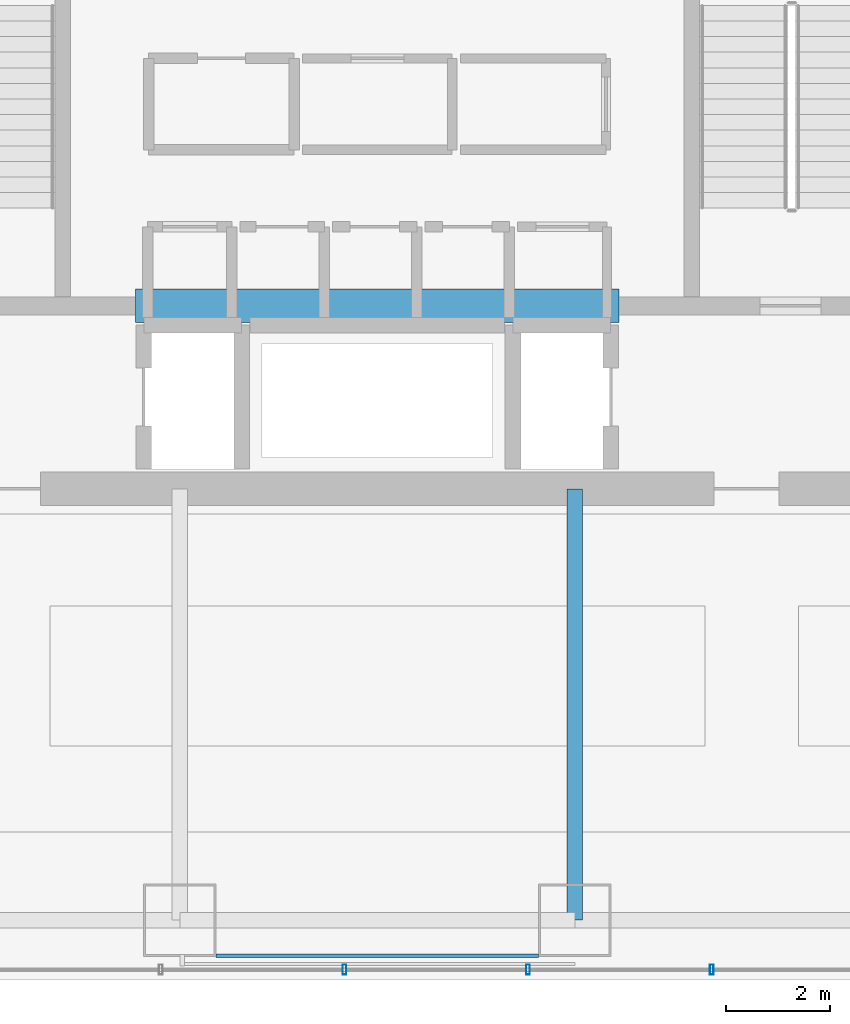
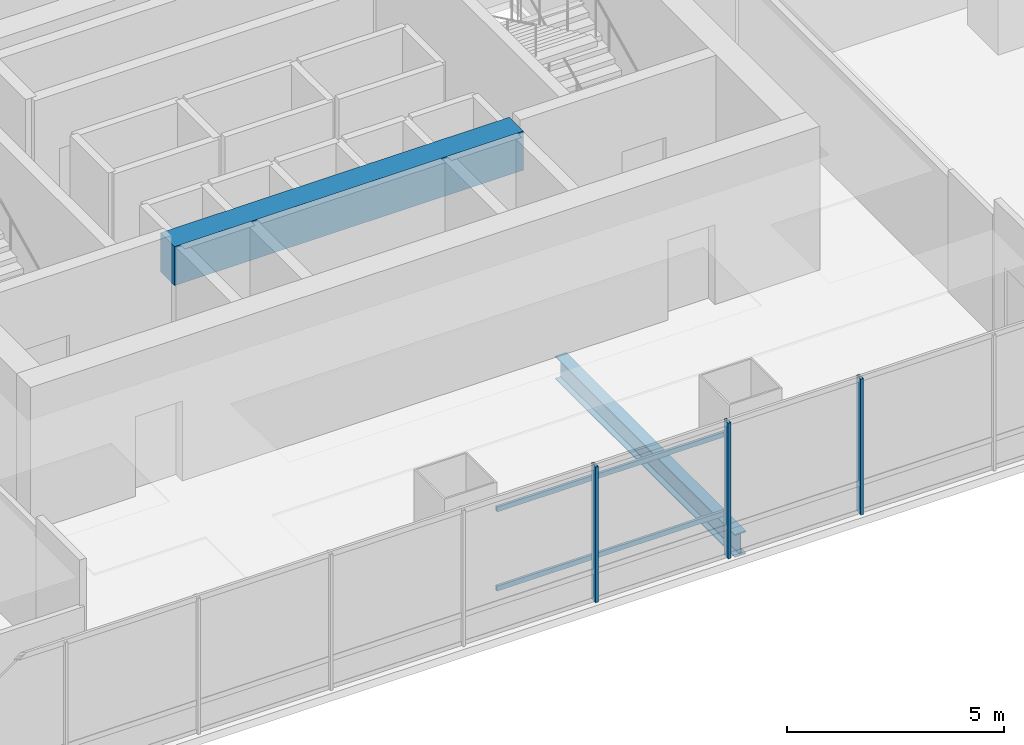
# One storey, part 9 of 38: 5 members, 2 beams, 1 element without a shape of its own.
"""IFC4 building model written with IfcOpenShell, lengths in metres."""

from ifc_helpers import new_model, si_unit, direction, frame, origin, origin_2d, place, context, subcontext, project, spatial, rectangle, hollow_rectangle, i_section, extrude, material, material_profile, profile_set, type_object, element, aggregate, save


model = new_model("IFC4")

# Units and contexts
model_context = context("Model", 3, precision=1e-05, world=origin(), true_north=direction((0.0, 1.0)))
body_context = subcontext(model_context, "Body", "Model", "MODEL_VIEW")
ifc_project = project(units=[si_unit("LENGTHUNIT", "METRE"), si_unit("AREAUNIT", "SQUARE_METRE"), si_unit("VOLUMEUNIT", "CUBIC_METRE"), si_unit("PLANEANGLEUNIT", "RADIAN"), si_unit("MASSUNIT", "GRAM", prefix="KILO")], contexts=[model_context])

# Site, building, storey
site_placement = place(None, origin())
site = spatial("IfcSite", under=ifc_project, at=site_placement, CompositionType="ELEMENT")
building_placement = place(site_placement, origin())
building = spatial("IfcBuilding", under=site, at=building_placement, Name="Punatoya Terracotta Tower", CompositionType="ELEMENT")
storey_placement = place(building_placement, frame((0.0, 0.0, 147.89990234375)))
storey = spatial("IfcBuildingStorey", under=building, at=storey_placement, Name="L34", CompositionType="ELEMENT", Elevation=147.89990234375)

# Beams
ifc_material_1 = material(Name="Steel S355", Category="steel")
ifc_material_profile_1 = material_profile(ifc_material_1, i_section(OverallWidth=0.300048828125, OverallDepth=0.64990234375, WebThickness=0.01611328125, FlangeThickness=0.031005859375, FilletRadius=0.01806640625, at=origin_2d()))
ifc_profile_set_1 = profile_set([ifc_material_profile_1], Name="Steel S355")
beam_type_1 = type_object("IfcBeamType", Name="BM-PRI-650", PredefinedType="BEAM", material=ifc_profile_set_1)
beam_1_placement = place(storey_placement, frame((3.800048828125, -17.5, -0.544921875), z_axis=(0.0, 1.0, 0.0), x_axis=(-1.0, 0.0, 0.0)))
element("IfcBeam", 1, at=beam_1_placement, inside=storey, type_object=beam_type_1, Name="BM-L34-PR-S3", PredefinedType="BEAM", context=body_context, shape_type="SweptSolid", body=[
    extrude(i_section(OverallWidth=0.300048828125, OverallDepth=0.64990234375, WebThickness=0.01611328125, FlangeThickness=0.031005859375, FilletRadius=0.01806640625, at=origin_2d()), origin(), (0.0, 0.0, 1.0), 8.300048828125),
])
ifc_material_2 = material(Name="Concrete C60/75", Category="concrete")
ifc_material_profile_2 = material_profile(ifc_material_2, rectangle(XDim=0.64990234375, YDim=1.10009765625, at=origin_2d()))
ifc_profile_set_2 = profile_set([ifc_material_profile_2], Name="Concrete C60/75")
beam_type_2 = type_object("IfcBeamType", Name="BM-RC-1100", PredefinedType="LINTEL", material=ifc_profile_set_2)
beam_2_placement = place(storey_placement, frame((-4.64990234375, -5.679931640625, 3.280029296875), z_axis=(1.0, 0.0, 0.0), x_axis=(0.0, 1.0, 0.0)))
element("IfcBeam", 2, at=beam_2_placement, inside=storey, type_object=beam_type_2, Name="L34 Core Coupling Lintel CSW", PredefinedType="LINTEL", context=body_context, shape_type="SweptSolid", body=[
    extrude(rectangle(XDim=0.64990234375, YDim=1.10009765625, at=origin_2d()), origin(), (0.0, 0.0, 1.0), 9.2998046875),
])

# Curtain wall, members
ifc_material_3 = material(Name="Aluminium 6063-T6 + Double Low-E Glass", Category="aluminium")
curtain_wall_type = type_object("IfcCurtainWallType", Name="CW-M2", PredefinedType="NOTDEFINED", material=ifc_material_3)
curtain_wall_placement = place(storey_placement, origin())
curtain_wall = element("IfcCurtainWall", 3, at=curtain_wall_placement, inside=storey, type_object=curtain_wall_type, Name="L34 Curtain Wall CW-L34-S01-1", PredefinedType="NOTDEFINED")
ifc_material_4 = material(Name="Aluminium 6063-T6", Category="aluminium")
ifc_material_profile_3 = material_profile(ifc_material_4, hollow_rectangle(XDim=0.072021484375, YDim=0.195068359375, WallThickness=0.00439453125, at=origin_2d()))
ifc_profile_set_3 = profile_set([ifc_material_profile_3], Name="Aluminium 6063-T6")
member_type_1 = type_object("IfcMemberType", Name="CW-MUL-M2", PredefinedType="MULLION", material=ifc_profile_set_3)
member_1_placement = place(storey_placement, frame((-0.633056640625, -18.449951171875, 0.0), z_axis=(0.0, 0.0, 1.0), x_axis=(1.0, 0.0, 0.0)))
member_1 = element("IfcMember", 4, at=member_1_placement, type_object=member_type_1, Name="CW-L34-S01-1 Mullion 06", PredefinedType="MULLION", context=body_context, shape_type="SweptSolid", body=[
    extrude(hollow_rectangle(XDim=0.072021484375, YDim=0.195068359375, WallThickness=0.00439453125, at=origin_2d()), origin(), (0.0, 0.0, 1.0), 3.830078125),
])
member_2_placement = place(storey_placement, frame((2.90087890625, -18.449951171875, 0.0), z_axis=(0.0, 0.0, 1.0), x_axis=(1.0, 0.0, 0.0)))
member_2 = element("IfcMember", 5, at=member_2_placement, type_object=member_type_1, Name="CW-L34-S01-1 Mullion 07", PredefinedType="MULLION", context=body_context, shape_type="SweptSolid", body=[
    extrude(hollow_rectangle(XDim=0.072021484375, YDim=0.195068359375, WallThickness=0.00439453125, at=origin_2d()), origin(), (0.0, 0.0, 1.0), 3.830078125),
])
member_3_placement = place(storey_placement, frame((6.43505859375, -18.449951171875, 0.0), z_axis=(0.0, 0.0, 1.0), x_axis=(1.0, 0.0, 0.0)))
member_3 = element("IfcMember", 6, at=member_3_placement, type_object=member_type_1, Name="CW-L34-S01-1 Mullion 08", PredefinedType="MULLION", context=body_context, shape_type="SweptSolid", body=[
    extrude(hollow_rectangle(XDim=0.072021484375, YDim=0.195068359375, WallThickness=0.00439453125, at=origin_2d()), origin(), (0.0, 0.0, 1.0), 3.830078125),
])
aggregate(curtain_wall, [member_1, member_2, member_3])

# Members
ifc_material_profile_4 = material_profile(ifc_material_1, hollow_rectangle(XDim=0.070068359375, YDim=0.139892578125, WallThickness=0.006103515625, at=origin_2d()))
ifc_profile_set_4 = profile_set([ifc_material_profile_4], Name="Steel S355")
member_type_2 = type_object("IfcMemberType", Name="MEM-BAG-RAIL", PredefinedType="USERDEFINED", material=ifc_profile_set_4)
for number, where, z_axis, x_axis, name in (
    (7, (-3.1005859375, -18.181884765625, 1.050048828125), (1.0, 0.0, 0.0), (0.0, 1.0, 0.0), "L34 Terracotta Baguette Carrier Rail BAG-L34-S-R1"),
    (8, (-3.1005859375, -18.181884765625, 3.280029296875), (1.0, 0.0, 0.0), (0.0, 1.0, 0.0), "L34 Terracotta Baguette Carrier Rail BAG-L34-S-R2"),
):
    element("IfcMember", number, at=place(storey_placement, frame(where, z_axis=z_axis, x_axis=x_axis)), inside=storey, type_object=member_type_2, Name=name, ObjectType="BAGUETTE", PredefinedType="USERDEFINED", context=body_context, shape_type="SweptSolid", body=[
        extrude(hollow_rectangle(XDim=0.070068359375, YDim=0.139892578125, WallThickness=0.006103515625, at=origin_2d()), origin(), (0.0, 0.0, 1.0), 6.201171875),
    ])

save(model, "model.ifc")
